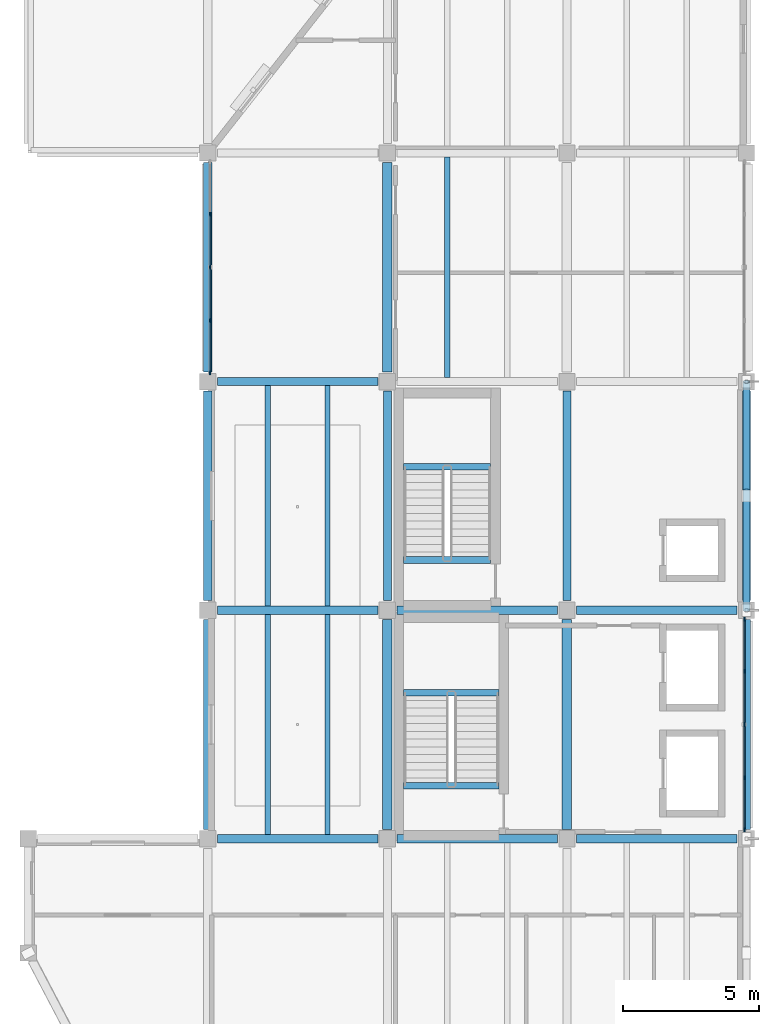
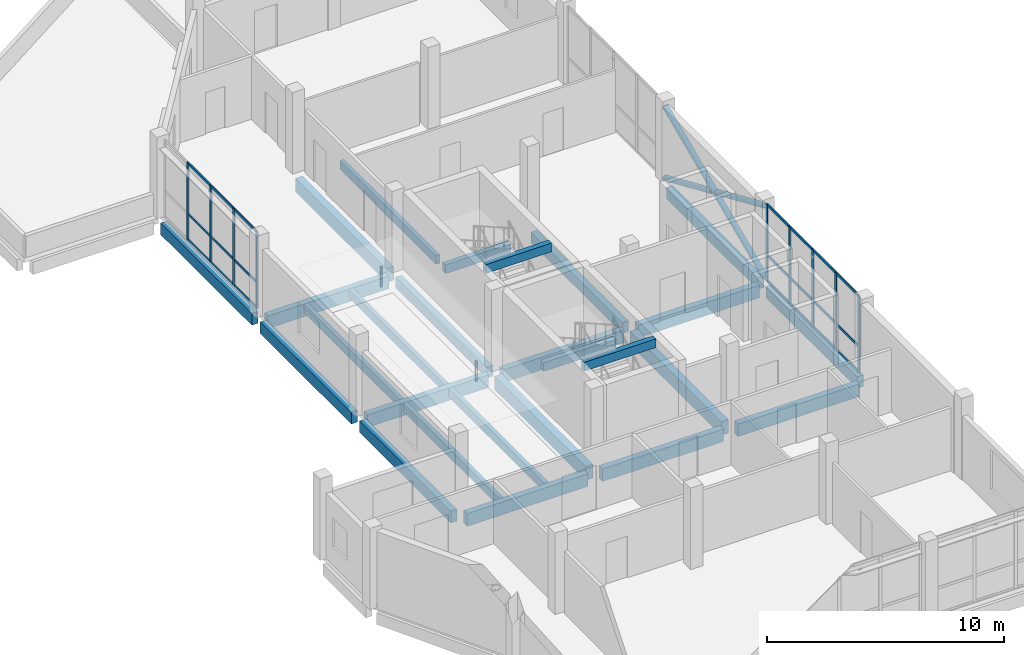
# One storey, part 3 of 12: 33 members, 26 beams, 2 elements without a shape of their own.
"""IFC4 building model written with IfcOpenShell, lengths in metres."""

from ifc_helpers import new_model, si_unit, direction, frame, origin, origin_2d, place, context, subcontext, project, spatial, rectangle, hollow_circle, extrude, material, material_profile, profile_set, type_object, element, aggregate, save


model = new_model("IFC4")

# Units and contexts
model_context = context("Model", 3, precision=1e-05, world=origin(), true_north=direction((0.0, 1.0)))
body_context = subcontext(model_context, "Body", "Model", "MODEL_VIEW")
ifc_project = project(units=[si_unit("LENGTHUNIT", "METRE"), si_unit("AREAUNIT", "SQUARE_METRE"), si_unit("VOLUMEUNIT", "CUBIC_METRE"), si_unit("PLANEANGLEUNIT", "RADIAN"), si_unit("MASSUNIT", "GRAM", prefix="KILO")], contexts=[model_context])

# Site, building, storey
site_placement = place(None, origin())
site = spatial("IfcSite", under=ifc_project, at=site_placement, CompositionType="ELEMENT")
building_placement = place(site_placement, origin())
building = spatial("IfcBuilding", under=site, at=building_placement, Name="Qaldarim Faculty of Natural and Applied Sciences", CompositionType="ELEMENT")
storey_placement = place(building_placement, frame((0.0, 0.0, 31.199951171875)))
storey = spatial("IfcBuildingStorey", under=building, at=storey_placement, Name="L07", CompositionType="ELEMENT", Elevation=31.199951171875)

# Beams
ifc_material_1 = material(Name="Concrete C40/50", Category="concrete")
ifc_material_profile_1 = material_profile(ifc_material_1, rectangle(XDim=0.300048828125, YDim=0.550048828125, at=origin_2d()), Name="RC-B300x550")
ifc_profile_set_1 = profile_set([ifc_material_profile_1], Name="Concrete C40/50")
beam_type_1 = type_object("IfcBeamType", Name="FloorBeam-RC300x550", PredefinedType="BEAM", material=ifc_profile_set_1)
for number, where, z_axis, x_axis, name in (
    (1, (165.0, 25.550048828125, -0.494873046875), (0.0, 1.0, 0.0), (-1.0, 0.0, 0.0), "Beam RC-B300x550 L06 X26/Y04-Y05"),
    (2, (171.60009765625, 25.550048828125, -0.494873046875), (0.0, 1.0, 0.0), (-1.0, 0.0, 0.0), "Beam RC-B300x550 L06 X27/Y04-Y05"),
):
    element("IfcBeam", number, at=place(storey_placement, frame(where, z_axis=z_axis, x_axis=x_axis)), inside=storey, type_object=beam_type_1, Name=name, PredefinedType="BEAM", context=body_context, shape_type="SweptSolid", body=[
        extrude(rectangle(XDim=0.300048828125, YDim=0.550048828125, at=origin_2d()), origin(), (0.0, 0.0, 1.0), 7.699951171875),
    ])
ifc_material_profile_2 = material_profile(ifc_material_1, rectangle(XDim=0.199951171875, YDim=0.449951171875, at=origin_2d()), Name="RC-J200x450")
ifc_profile_set_2 = profile_set([ifc_material_profile_2], Name="Concrete C40/50")
beam_type_2 = type_object("IfcBeamType", Name="LabJoist-RC200x450", PredefinedType="JOIST", material=ifc_profile_set_2)
for number, where, z_axis, x_axis, name in (
    (3, (160.60009765625, 16.949951171875, -0.445068359375), (0.0, 1.0, 0.0), (-1.0, 0.0, 0.0), "Laboratory joist L06 bay X25Y03-1"),
    (4, (162.800048828125, 16.949951171875, -0.445068359375), (0.0, 1.0, 0.0), (-1.0, 0.0, 0.0), "Laboratory joist L06 bay X25Y03-2"),
):
    element("IfcBeam", number, at=place(storey_placement, frame(where, z_axis=z_axis, x_axis=x_axis)), inside=storey, type_object=beam_type_2, Name=name, PredefinedType="JOIST", context=body_context, shape_type="SweptSolid", body=[
        extrude(rectangle(XDim=0.199951171875, YDim=0.449951171875, at=origin_2d()), origin(), (0.0, 0.0, 1.0), 8.10009765625),
    ])
for number, where, z_axis, x_axis, name in (
    (5, (160.60009765625, 25.35009765625, -0.445068359375), (0.0, 1.0, 0.0), (-1.0, 0.0, 0.0), "Laboratory joist L06 bay X25Y04-1"),
    (6, (162.800048828125, 25.35009765625, -0.445068359375), (0.0, 1.0, 0.0), (-1.0, 0.0, 0.0), "Laboratory joist L06 bay X25Y04-2"),
):
    element("IfcBeam", number, at=place(storey_placement, frame(where, z_axis=z_axis, x_axis=x_axis)), inside=storey, type_object=beam_type_2, Name=name, PredefinedType="JOIST", context=body_context, shape_type="SweptSolid", body=[
        extrude(rectangle(XDim=0.199951171875, YDim=0.449951171875, at=origin_2d()), origin(), (0.0, 0.0, 1.0), 8.099853515625),
    ])
beam_1_placement = place(storey_placement, frame((167.199951171875, 33.75, -0.445068359375), z_axis=(0.0, 1.0, 0.0), x_axis=(-1.0, 0.0, 0.0)))
element("IfcBeam", 7, at=beam_1_placement, inside=storey, type_object=beam_type_2, Name="Laboratory joist L06 bay X26Y05-1", PredefinedType="JOIST", context=body_context, shape_type="SweptSolid", body=[
    extrude(rectangle(XDim=0.199951171875, YDim=0.449951171875, at=origin_2d()), origin(), (0.0, 0.0, 1.0), 8.10009765625),
])
ifc_material_profile_3 = material_profile(ifc_material_1, rectangle(XDim=0.25, YDim=0.449951171875, at=origin_2d()), Name="RC-LN250x450")
ifc_profile_set_3 = profile_set([ifc_material_profile_3], Name="Concrete C40/50")
beam_type_3 = type_object("IfcBeamType", Name="LandingSupportBeam-RC250x450", PredefinedType="BEAM", material=ifc_profile_set_3)
for number, where, z_axis, x_axis, name in (
    (8, (165.60009765625, 22.169921875, 1.6650390625), (1.0, 0.0, 0.0), (0.0, 1.0, 0.0), "Stair landing support beam ST-A1 L07"),
    (9, (165.60009765625, 18.75, 3.755126953125), (1.0, 0.0, 0.0), (0.0, 1.0, 0.0), "Stair arrival support beam ST-A1 L07"),
):
    element("IfcBeam", number, at=place(storey_placement, frame(where, z_axis=z_axis, x_axis=x_axis)), inside=storey, type_object=beam_type_3, Name=name, PredefinedType="BEAM", context=body_context, shape_type="SweptSolid", body=[
        extrude(rectangle(XDim=0.25, YDim=0.449951171875, at=origin_2d()), origin(), (0.0, 0.0, 1.0), 3.5),
    ])
for number, where, z_axis, x_axis, name in (
    (10, (165.60009765625, 30.469970703125, 1.6650390625), (1.0, 0.0, 0.0), (0.0, 1.0, 0.0), "Stair landing support beam ST-A2 L07"),
    (11, (165.60009765625, 27.050048828125, 3.755126953125), (1.0, 0.0, 0.0), (0.0, 1.0, 0.0), "Stair arrival support beam ST-A2 L07"),
):
    element("IfcBeam", number, at=place(storey_placement, frame(where, z_axis=z_axis, x_axis=x_axis)), inside=storey, type_object=beam_type_3, Name=name, PredefinedType="BEAM", context=body_context, shape_type="SweptSolid", body=[
        extrude(rectangle(XDim=0.25, YDim=0.449951171875, at=origin_2d()), origin(), (0.0, 0.0, 1.0), 3.199951171875),
    ])

# Curtain wall, members
ifc_material_2 = material(Name="Anodised aluminium AW-6063", Category="aluminium")
curtain_wall_type = type_object("IfcCurtainWallType", Name="CurtainWallSystem-M1800", PredefinedType="USERDEFINED", material=ifc_material_2)
curtain_wall_1_placement = place(storey_placement, origin())
curtain_wall_1 = element("IfcCurtainWall", 12, at=curtain_wall_1_placement, inside=storey, type_object=curtain_wall_type, Name="Curtain wall CW-L07-W-X25Y05", ObjectType="UNITISED FACADE", PredefinedType="USERDEFINED")
ifc_material_profile_4 = material_profile(ifc_material_2, rectangle(XDim=0.06005859375, YDim=0.14990234375, at=origin_2d()), Name="ALU-M60x150")
ifc_profile_set_4 = profile_set([ifc_material_profile_4], Name="Anodised aluminium AW-6063")
member_type_1 = type_object("IfcMemberType", Name="Mullion-ALU60x150", PredefinedType="MULLION", material=ifc_profile_set_4)
member_1_placement = place(storey_placement, frame((158.47998046875, 39.75244140625, 0.0), z_axis=(0.0, 0.0, 1.0), x_axis=(1.0, 0.0, 0.0)))
member_1 = element("IfcMember", 13, at=member_1_placement, type_object=member_type_1, Name="Mullion 2 of CW-L07-W-X25Y05", PredefinedType="MULLION", context=body_context, shape_type="SweptSolid", body=[
    extrude(rectangle(XDim=0.06005859375, YDim=0.14990234375, at=origin_2d()), origin(), (0.0, 0.0, 1.0), 3.97998046875),
])
member_2_placement = place(storey_placement, frame((158.47998046875, 37.800048828125, 0.0), z_axis=(0.0, 0.0, 1.0), x_axis=(1.0, 0.0, 0.0)))
member_2 = element("IfcMember", 14, at=member_2_placement, type_object=member_type_1, Name="Mullion 3 of CW-L07-W-X25Y05", PredefinedType="MULLION", context=body_context, shape_type="SweptSolid", body=[
    extrude(rectangle(XDim=0.06005859375, YDim=0.14990234375, at=origin_2d()), origin(), (0.0, 0.0, 1.0), 3.97998046875),
])
member_3_placement = place(storey_placement, frame((158.47998046875, 35.847412109375, 0.0), z_axis=(0.0, 0.0, 1.0), x_axis=(1.0, 0.0, 0.0)))
member_3 = element("IfcMember", 15, at=member_3_placement, type_object=member_type_1, Name="Mullion 4 of CW-L07-W-X25Y05", PredefinedType="MULLION", context=body_context, shape_type="SweptSolid", body=[
    extrude(rectangle(XDim=0.06005859375, YDim=0.14990234375, at=origin_2d()), origin(), (0.0, 0.0, 1.0), 3.97998046875),
])
member_4_placement = place(storey_placement, frame((158.47998046875, 33.925048828125, 0.0), z_axis=(0.0, 0.0, 1.0), x_axis=(1.0, 0.0, 0.0)))
member_4 = element("IfcMember", 16, at=member_4_placement, type_object=member_type_1, Name="Mullion 5 of CW-L07-W-X25Y05", PredefinedType="MULLION", context=body_context, shape_type="SweptSolid", body=[
    extrude(rectangle(XDim=0.06005859375, YDim=0.14990234375, at=origin_2d()), origin(), (0.0, 0.0, 1.0), 3.97998046875),
])

curtain_wall_2_placement = place(storey_placement, origin())
curtain_wall_2 = element("IfcCurtainWall", 17, at=curtain_wall_2_placement, inside=storey, type_object=curtain_wall_type, Name="Curtain wall CW-L07-E-X27Y03", ObjectType="UNITISED FACADE", PredefinedType="USERDEFINED")
member_5_placement = place(storey_placement, frame((178.1201171875, 17.125, 0.0), z_axis=(0.0, 0.0, 1.0), x_axis=(-1.0, 0.0, 0.0)))
member_5 = element("IfcMember", 18, at=member_5_placement, type_object=member_type_1, Name="Mullion 1 of CW-L07-E-X27Y03", PredefinedType="MULLION", context=body_context, shape_type="SweptSolid", body=[
    extrude(rectangle(XDim=0.06005859375, YDim=0.14990234375, at=origin_2d()), origin(), (0.0, 0.0, 1.0), 3.97998046875),
])
member_6_placement = place(storey_placement, frame((178.1201171875, 19.047607421875, 0.0), z_axis=(0.0, 0.0, 1.0), x_axis=(-1.0, 0.0, 0.0)))
member_6 = element("IfcMember", 19, at=member_6_placement, type_object=member_type_1, Name="Mullion 2 of CW-L07-E-X27Y03", PredefinedType="MULLION", context=body_context, shape_type="SweptSolid", body=[
    extrude(rectangle(XDim=0.06005859375, YDim=0.14990234375, at=origin_2d()), origin(), (0.0, 0.0, 1.0), 3.97998046875),
])
member_7_placement = place(storey_placement, frame((178.1201171875, 21.0, 0.0), z_axis=(0.0, 0.0, 1.0), x_axis=(-1.0, 0.0, 0.0)))
member_7 = element("IfcMember", 20, at=member_7_placement, type_object=member_type_1, Name="Mullion 3 of CW-L07-E-X27Y03", PredefinedType="MULLION", context=body_context, shape_type="SweptSolid", body=[
    extrude(rectangle(XDim=0.06005859375, YDim=0.14990234375, at=origin_2d()), origin(), (0.0, 0.0, 1.0), 3.97998046875),
])
member_8_placement = place(storey_placement, frame((178.1201171875, 22.952392578125, 0.0), z_axis=(0.0, 0.0, 1.0), x_axis=(-1.0, 0.0, 0.0)))
member_8 = element("IfcMember", 21, at=member_8_placement, type_object=member_type_1, Name="Mullion 4 of CW-L07-E-X27Y03", PredefinedType="MULLION", context=body_context, shape_type="SweptSolid", body=[
    extrude(rectangle(XDim=0.06005859375, YDim=0.14990234375, at=origin_2d()), origin(), (0.0, 0.0, 1.0), 3.97998046875),
])
member_9_placement = place(storey_placement, frame((178.1201171875, 24.875, 0.0), z_axis=(0.0, 0.0, 1.0), x_axis=(-1.0, 0.0, 0.0)))
member_9 = element("IfcMember", 22, at=member_9_placement, type_object=member_type_1, Name="Mullion 5 of CW-L07-E-X27Y03", PredefinedType="MULLION", context=body_context, shape_type="SweptSolid", body=[
    extrude(rectangle(XDim=0.06005859375, YDim=0.14990234375, at=origin_2d()), origin(), (0.0, 0.0, 1.0), 3.97998046875),
])

# Members
ifc_material_3 = material(Name="Structural steel S355", Category="steel")
ifc_material_profile_5 = material_profile(ifc_material_3, hollow_circle(Radius=0.136474609375, WallThickness=0.01611328125, at=origin_2d()), Name="CHS 273.0x16.0")
ifc_profile_set_5 = profile_set([ifc_material_profile_5], Name="Structural steel S355")
member_type_2 = type_object("IfcMemberType", Name="PortalBrace-CHS273x16", PredefinedType="BRACE", material=ifc_profile_set_5)
member_10_placement = place(storey_placement, frame((178.199951171875, 25.199951171875, 0.0), z_axis=(0.0, 0.915962323067, 0.401264280396), x_axis=(-1.0, 0.0, 0.0)))
element("IfcMember", 23, at=member_10_placement, inside=storey, type_object=member_type_2, Name="Upper east diagrid L07 primary brace L", PredefinedType="BRACE", context=body_context, shape_type="SweptSolid", body=[
    extrude(hollow_circle(Radius=0.136474609375, WallThickness=0.01611328125, at=origin_2d()), origin(), (0.0, 0.0, 1.0), 9.1708984375),
])
for number, where, z_axis, x_axis, name in (
    (24, (178.199951171875, 33.60009765625, 0.0), (0.0, -0.916157334902, 0.40081883402), (1.0, 0.0, 0.0), "Upper east diagrid L07 split secondary lower brace R1"),
    (25, (178.199951171875, 29.199951171875, 1.929931640625), (0.0, -0.916157334902, 0.40081883402), (1.0, 0.0, 0.0), "Upper east diagrid L07 split secondary upper brace R2"),
):
    element("IfcMember", number, at=place(storey_placement, frame(where, z_axis=z_axis, x_axis=x_axis)), inside=storey, type_object=member_type_2, Name=name, PredefinedType="BRACE", context=body_context, shape_type="SweptSolid", body=[
        extrude(hollow_circle(Radius=0.136474609375, WallThickness=0.01611328125, at=origin_2d()), origin(), (0.0, 0.0, 1.0), 4.365966796875),
    ])

# Beams
ifc_material_profile_6 = material_profile(ifc_material_1, rectangle(XDim=0.300048828125, YDim=0.64990234375, at=origin_2d()), Name="RC-B300x650")
ifc_profile_set_6 = profile_set([ifc_material_profile_6], Name="Concrete C40/50")
beam_type_4 = type_object("IfcBeamType", Name="PrimaryBeam-RC300x650", PredefinedType="BEAM", material=ifc_profile_set_6)
for number, where, z_axis, x_axis, name in (
    (26, (158.75, 16.800048828125, -0.544921875), (1.0, 0.0, 0.0), (0.0, 1.0, 0.0), "Beam RC-B300x650 L06 X25-X26/Y03"),
    (27, (165.35009765625, 16.800048828125, -0.544921875), (1.0, 0.0, 0.0), (0.0, 1.0, 0.0), "Beam RC-B300x650 L06 X26-X27/Y03"),
):
    element("IfcBeam", number, at=place(storey_placement, frame(where, z_axis=z_axis, x_axis=x_axis)), inside=storey, type_object=beam_type_4, Name=name, PredefinedType="BEAM", context=body_context, shape_type="SweptSolid", body=[
        extrude(rectangle(XDim=0.300048828125, YDim=0.64990234375, at=origin_2d()), origin(), (0.0, 0.0, 1.0), 5.89990234375),
    ])
beam_2_placement = place(storey_placement, frame((171.949951171875, 16.800048828125, -0.544921875), z_axis=(1.0, 0.0, 0.0), x_axis=(0.0, 1.0, 0.0)))
element("IfcBeam", 28, at=beam_2_placement, inside=storey, type_object=beam_type_4, Name="Beam RC-B300x650 L06 X27-X28/Y03", PredefinedType="BEAM", context=body_context, shape_type="SweptSolid", body=[
    extrude(rectangle(XDim=0.300048828125, YDim=0.64990234375, at=origin_2d()), origin(), (0.0, 0.0, 1.0), 5.900146484375),
])
for number, where, z_axis, x_axis, name in (
    (29, (158.75, 25.199951171875, -0.544921875), (1.0, 0.0, 0.0), (0.0, 1.0, 0.0), "Beam RC-B300x650 L06 X25-X26/Y04"),
    (30, (165.35009765625, 25.199951171875, -0.544921875), (1.0, 0.0, 0.0), (0.0, 1.0, 0.0), "Beam RC-B300x650 L06 X26-X27/Y04"),
):
    element("IfcBeam", number, at=place(storey_placement, frame(where, z_axis=z_axis, x_axis=x_axis)), inside=storey, type_object=beam_type_4, Name=name, PredefinedType="BEAM", context=body_context, shape_type="SweptSolid", body=[
        extrude(rectangle(XDim=0.300048828125, YDim=0.64990234375, at=origin_2d()), origin(), (0.0, 0.0, 1.0), 5.89990234375),
    ])
beam_3_placement = place(storey_placement, frame((171.949951171875, 25.199951171875, -0.544921875), z_axis=(1.0, 0.0, 0.0), x_axis=(0.0, 1.0, 0.0)))
element("IfcBeam", 31, at=beam_3_placement, inside=storey, type_object=beam_type_4, Name="Beam RC-B300x650 L06 X27-X28/Y04", PredefinedType="BEAM", context=body_context, shape_type="SweptSolid", body=[
    extrude(rectangle(XDim=0.300048828125, YDim=0.64990234375, at=origin_2d()), origin(), (0.0, 0.0, 1.0), 5.900146484375),
])
beam_4_placement = place(storey_placement, frame((158.75, 33.60009765625, -0.544921875), z_axis=(1.0, 0.0, 0.0), x_axis=(0.0, 1.0, 0.0)))
element("IfcBeam", 32, at=beam_4_placement, inside=storey, type_object=beam_type_4, Name="Beam RC-B300x650 L06 X25-X26/Y05", PredefinedType="BEAM", context=body_context, shape_type="SweptSolid", body=[
    extrude(rectangle(XDim=0.300048828125, YDim=0.64990234375, at=origin_2d()), origin(), (0.0, 0.0, 1.0), 5.89990234375),
])
ifc_material_profile_7 = material_profile(ifc_material_1, rectangle(XDim=0.35009765625, YDim=0.699951171875, at=origin_2d()), Name="RC-B350x700")
ifc_profile_set_7 = profile_set([ifc_material_profile_7], Name="Concrete C40/50")
beam_type_5 = type_object("IfcBeamType", Name="PrimaryGirder-RC350x700", PredefinedType="BEAM", material=ifc_profile_set_7)
beam_5_placement = place(storey_placement, frame((165.0, 17.14990234375, -0.570068359375), z_axis=(0.0, 1.0, 0.0), x_axis=(-1.0, 0.0, 0.0)))
element("IfcBeam", 33, at=beam_5_placement, inside=storey, type_object=beam_type_5, Name="Beam RC-B350x700 L06 X26/Y03-Y04", PredefinedType="BEAM", context=body_context, shape_type="SweptSolid", body=[
    extrude(rectangle(XDim=0.35009765625, YDim=0.699951171875, at=origin_2d()), origin(), (0.0, 0.0, 1.0), 7.7001953125),
])
beam_6_placement = place(storey_placement, frame((165.0, 33.949951171875, -0.570068359375), z_axis=(0.0, 1.0, 0.0), x_axis=(-1.0, 0.0, 0.0)))
element("IfcBeam", 34, at=beam_6_placement, inside=storey, type_object=beam_type_5, Name="Beam RC-B350x700 L06 X26/Y05-Y06", PredefinedType="BEAM", context=body_context, shape_type="SweptSolid", body=[
    extrude(rectangle(XDim=0.35009765625, YDim=0.699951171875, at=origin_2d()), origin(), (0.0, 0.0, 1.0), 7.699951171875),
])
beam_7_placement = place(storey_placement, frame((171.60009765625, 17.14990234375, -0.570068359375), z_axis=(0.0, 1.0, 0.0), x_axis=(-1.0, 0.0, 0.0)))
element("IfcBeam", 35, at=beam_7_placement, inside=storey, type_object=beam_type_5, Name="Beam RC-B350x700 L06 X27/Y03-Y04", PredefinedType="BEAM", context=body_context, shape_type="SweptSolid", body=[
    extrude(rectangle(XDim=0.35009765625, YDim=0.699951171875, at=origin_2d()), origin(), (0.0, 0.0, 1.0), 7.7001953125),
])
ifc_material_4 = material(Name="Precast concrete C40/50", Category="concrete")
ifc_material_profile_8 = material_profile(ifc_material_4, rectangle(XDim=0.300048828125, YDim=0.60009765625, at=origin_2d()), Name="RC-SP300x600")
ifc_profile_set_8 = profile_set([ifc_material_profile_8], Name="Precast concrete C40/50")
beam_type_6 = type_object("IfcBeamType", Name="SpandrelBeam-RC300x600", PredefinedType="SPANDREL", material=ifc_profile_set_8)
beam_8_placement = place(storey_placement, frame((158.39990234375, 17.14990234375, -0.52001953125), z_axis=(0.0, 1.0, 0.0), x_axis=(-1.0, 0.0, 0.0)))
element("IfcBeam", 36, at=beam_8_placement, inside=storey, type_object=beam_type_6, Name="Beam RC-SP300x600 L06 X25/Y03-Y04", PredefinedType="SPANDREL", context=body_context, shape_type="SweptSolid", body=[
    extrude(rectangle(XDim=0.300048828125, YDim=0.60009765625, at=origin_2d()), origin(), (0.0, 0.0, 1.0), 7.7001953125),
])
for number, where, z_axis, x_axis, name in (
    (37, (158.39990234375, 25.550048828125, -0.52001953125), (0.0, 1.0, 0.0), (-1.0, 0.0, 0.0), "Beam RC-SP300x600 L06 X25/Y04-Y05"),
    (38, (158.39990234375, 33.949951171875, -0.52001953125), (0.0, 1.0, 0.0), (-1.0, 0.0, 0.0), "Beam RC-SP300x600 L06 X25/Y05-Y06"),
):
    element("IfcBeam", number, at=place(storey_placement, frame(where, z_axis=z_axis, x_axis=x_axis)), inside=storey, type_object=beam_type_6, Name=name, PredefinedType="SPANDREL", context=body_context, shape_type="SweptSolid", body=[
        extrude(rectangle(XDim=0.300048828125, YDim=0.60009765625, at=origin_2d()), origin(), (0.0, 0.0, 1.0), 7.699951171875),
    ])
beam_9_placement = place(storey_placement, frame((178.199951171875, 17.14990234375, -0.52001953125), z_axis=(0.0, 1.0, 0.0), x_axis=(-1.0, 0.0, 0.0)))
element("IfcBeam", 39, at=beam_9_placement, inside=storey, type_object=beam_type_6, Name="Beam RC-SP300x600 L06 X28/Y03-Y04", PredefinedType="SPANDREL", context=body_context, shape_type="SweptSolid", body=[
    extrude(rectangle(XDim=0.300048828125, YDim=0.60009765625, at=origin_2d()), origin(), (0.0, 0.0, 1.0), 7.7001953125),
])
beam_10_placement = place(storey_placement, frame((178.199951171875, 25.550048828125, -0.52001953125), z_axis=(0.0, 1.0, 0.0), x_axis=(-1.0, 0.0, 0.0)))
element("IfcBeam", 40, at=beam_10_placement, inside=storey, type_object=beam_type_6, Name="Beam RC-SP300x600 L06 X28/Y04-Y05", PredefinedType="SPANDREL", context=body_context, shape_type="SweptSolid", body=[
    extrude(rectangle(XDim=0.300048828125, YDim=0.60009765625, at=origin_2d()), origin(), (0.0, 0.0, 1.0), 7.699951171875),
])

# Member
ifc_material_profile_9 = material_profile(ifc_material_2, rectangle(XDim=0.06005859375, YDim=0.1201171875, at=origin_2d()), Name="ALU-T60x120")
ifc_profile_set_9 = profile_set([ifc_material_profile_9], Name="Anodised aluminium AW-6063")
member_type_3 = type_object("IfcMemberType", Name="Transom-ALU60x120", PredefinedType="USERDEFINED", material=ifc_profile_set_9)
member_11_placement = place(storey_placement, frame((158.47998046875, 39.722412109375, 0.030029296875), z_axis=(0.0, -1.0, 0.0), x_axis=(1.0, 0.0, 0.0)))
member_11 = element("IfcMember", 41, at=member_11_placement, type_object=member_type_3, Name="Transom 2-1 of CW-L07-W-X25Y05", ObjectType="TRANSOM", PredefinedType="USERDEFINED", context=body_context, shape_type="SweptSolid", body=[
    extrude(rectangle(XDim=0.06005859375, YDim=0.1201171875, at=origin_2d()), origin(), (0.0, 0.0, 1.0), 1.892333984375),
])

member_12_placement = place(storey_placement, frame((158.47998046875, 39.722412109375, 1.35009765625), z_axis=(0.0, -1.0, 0.0), x_axis=(1.0, 0.0, 0.0)))
member_12 = element("IfcMember", 42, at=member_12_placement, type_object=member_type_3, Name="Transom 2-2 of CW-L07-W-X25Y05", ObjectType="TRANSOM", PredefinedType="USERDEFINED", context=body_context, shape_type="SweptSolid", body=[
    extrude(rectangle(XDim=0.06005859375, YDim=0.1201171875, at=origin_2d()), origin(), (0.0, 0.0, 1.0), 1.892333984375),
])

member_13_placement = place(storey_placement, frame((158.47998046875, 39.722412109375, 3.949951171875), z_axis=(0.0, -1.0, 0.0), x_axis=(1.0, 0.0, 0.0)))
member_13 = element("IfcMember", 43, at=member_13_placement, type_object=member_type_3, Name="Transom 2-3 of CW-L07-W-X25Y05", ObjectType="TRANSOM", PredefinedType="USERDEFINED", context=body_context, shape_type="SweptSolid", body=[
    extrude(rectangle(XDim=0.06005859375, YDim=0.1201171875, at=origin_2d()), origin(), (0.0, 0.0, 1.0), 1.892333984375),
])

member_14_placement = place(storey_placement, frame((158.47998046875, 37.77001953125, 0.030029296875), z_axis=(0.0, -1.0, 0.0), x_axis=(1.0, 0.0, 0.0)))
member_14 = element("IfcMember", 44, at=member_14_placement, type_object=member_type_3, Name="Transom 3-1 of CW-L07-W-X25Y05", ObjectType="TRANSOM", PredefinedType="USERDEFINED", context=body_context, shape_type="SweptSolid", body=[
    extrude(rectangle(XDim=0.06005859375, YDim=0.1201171875, at=origin_2d()), origin(), (0.0, 0.0, 1.0), 1.892578125),
])

member_15_placement = place(storey_placement, frame((158.47998046875, 37.77001953125, 1.35009765625), z_axis=(0.0, -1.0, 0.0), x_axis=(1.0, 0.0, 0.0)))
member_15 = element("IfcMember", 45, at=member_15_placement, type_object=member_type_3, Name="Transom 3-2 of CW-L07-W-X25Y05", ObjectType="TRANSOM", PredefinedType="USERDEFINED", context=body_context, shape_type="SweptSolid", body=[
    extrude(rectangle(XDim=0.06005859375, YDim=0.1201171875, at=origin_2d()), origin(), (0.0, 0.0, 1.0), 1.892578125),
])

member_16_placement = place(storey_placement, frame((158.47998046875, 37.77001953125, 3.949951171875), z_axis=(0.0, -1.0, 0.0), x_axis=(1.0, 0.0, 0.0)))
member_16 = element("IfcMember", 46, at=member_16_placement, type_object=member_type_3, Name="Transom 3-3 of CW-L07-W-X25Y05", ObjectType="TRANSOM", PredefinedType="USERDEFINED", context=body_context, shape_type="SweptSolid", body=[
    extrude(rectangle(XDim=0.06005859375, YDim=0.1201171875, at=origin_2d()), origin(), (0.0, 0.0, 1.0), 1.892578125),
])

member_17_placement = place(storey_placement, frame((158.47998046875, 35.8173828125, 0.030029296875), z_axis=(0.0, -1.0, 0.0), x_axis=(1.0, 0.0, 0.0)))
member_17 = element("IfcMember", 47, at=member_17_placement, type_object=member_type_3, Name="Transom 4-1 of CW-L07-W-X25Y05", ObjectType="TRANSOM", PredefinedType="USERDEFINED", context=body_context, shape_type="SweptSolid", body=[
    extrude(rectangle(XDim=0.06005859375, YDim=0.1201171875, at=origin_2d()), origin(), (0.0, 0.0, 1.0), 1.8623046875),
])

member_18_placement = place(storey_placement, frame((158.47998046875, 35.8173828125, 1.35009765625), z_axis=(0.0, -1.0, 0.0), x_axis=(1.0, 0.0, 0.0)))
member_18 = element("IfcMember", 48, at=member_18_placement, type_object=member_type_3, Name="Transom 4-2 of CW-L07-W-X25Y05", ObjectType="TRANSOM", PredefinedType="USERDEFINED", context=body_context, shape_type="SweptSolid", body=[
    extrude(rectangle(XDim=0.06005859375, YDim=0.1201171875, at=origin_2d()), origin(), (0.0, 0.0, 1.0), 1.8623046875),
])

member_19_placement = place(storey_placement, frame((158.47998046875, 35.8173828125, 3.949951171875), z_axis=(0.0, -1.0, 0.0), x_axis=(1.0, 0.0, 0.0)))
member_19 = element("IfcMember", 49, at=member_19_placement, type_object=member_type_3, Name="Transom 4-3 of CW-L07-W-X25Y05", ObjectType="TRANSOM", PredefinedType="USERDEFINED", context=body_context, shape_type="SweptSolid", body=[
    extrude(rectangle(XDim=0.06005859375, YDim=0.1201171875, at=origin_2d()), origin(), (0.0, 0.0, 1.0), 1.8623046875),
])

aggregate(curtain_wall_1, [member_1, member_2, member_3, member_4, member_11, member_12, member_13, member_14, member_15, member_16, member_17, member_18, member_19])

member_20_placement = place(storey_placement, frame((178.1201171875, 17.155029296875, 0.030029296875), z_axis=(0.0, 1.0, 0.0), x_axis=(-1.0, 0.0, 0.0)))
member_20 = element("IfcMember", 50, at=member_20_placement, type_object=member_type_3, Name="Transom 1-1 of CW-L07-E-X27Y03", ObjectType="TRANSOM", PredefinedType="USERDEFINED", context=body_context, shape_type="SweptSolid", body=[
    extrude(rectangle(XDim=0.06005859375, YDim=0.1201171875, at=origin_2d()), origin(), (0.0, 0.0, 1.0), 1.862548828125),
])

member_21_placement = place(storey_placement, frame((178.1201171875, 17.155029296875, 1.35009765625), z_axis=(0.0, 1.0, 0.0), x_axis=(-1.0, 0.0, 0.0)))
member_21 = element("IfcMember", 51, at=member_21_placement, type_object=member_type_3, Name="Transom 1-2 of CW-L07-E-X27Y03", ObjectType="TRANSOM", PredefinedType="USERDEFINED", context=body_context, shape_type="SweptSolid", body=[
    extrude(rectangle(XDim=0.06005859375, YDim=0.1201171875, at=origin_2d()), origin(), (0.0, 0.0, 1.0), 1.862548828125),
])

member_22_placement = place(storey_placement, frame((178.1201171875, 17.155029296875, 3.949951171875), z_axis=(0.0, 1.0, 0.0), x_axis=(-1.0, 0.0, 0.0)))
member_22 = element("IfcMember", 52, at=member_22_placement, type_object=member_type_3, Name="Transom 1-3 of CW-L07-E-X27Y03", ObjectType="TRANSOM", PredefinedType="USERDEFINED", context=body_context, shape_type="SweptSolid", body=[
    extrude(rectangle(XDim=0.06005859375, YDim=0.1201171875, at=origin_2d()), origin(), (0.0, 0.0, 1.0), 1.862548828125),
])

member_23_placement = place(storey_placement, frame((178.1201171875, 19.077392578125, 0.030029296875), z_axis=(0.0, 1.0, 0.0), x_axis=(-1.0, 0.0, 0.0)))
member_23 = element("IfcMember", 53, at=member_23_placement, type_object=member_type_3, Name="Transom 2-1 of CW-L07-E-X27Y03", ObjectType="TRANSOM", PredefinedType="USERDEFINED", context=body_context, shape_type="SweptSolid", body=[
    extrude(rectangle(XDim=0.06005859375, YDim=0.1201171875, at=origin_2d()), origin(), (0.0, 0.0, 1.0), 1.892578125),
])

member_24_placement = place(storey_placement, frame((178.1201171875, 19.077392578125, 1.35009765625), z_axis=(0.0, 1.0, 0.0), x_axis=(-1.0, 0.0, 0.0)))
member_24 = element("IfcMember", 54, at=member_24_placement, type_object=member_type_3, Name="Transom 2-2 of CW-L07-E-X27Y03", ObjectType="TRANSOM", PredefinedType="USERDEFINED", context=body_context, shape_type="SweptSolid", body=[
    extrude(rectangle(XDim=0.06005859375, YDim=0.1201171875, at=origin_2d()), origin(), (0.0, 0.0, 1.0), 1.892578125),
])

member_25_placement = place(storey_placement, frame((178.1201171875, 19.077392578125, 3.949951171875), z_axis=(0.0, 1.0, 0.0), x_axis=(-1.0, 0.0, 0.0)))
member_25 = element("IfcMember", 55, at=member_25_placement, type_object=member_type_3, Name="Transom 2-3 of CW-L07-E-X27Y03", ObjectType="TRANSOM", PredefinedType="USERDEFINED", context=body_context, shape_type="SweptSolid", body=[
    extrude(rectangle(XDim=0.06005859375, YDim=0.1201171875, at=origin_2d()), origin(), (0.0, 0.0, 1.0), 1.892578125),
])

member_26_placement = place(storey_placement, frame((178.1201171875, 21.030029296875, 0.030029296875), z_axis=(0.0, 1.0, 0.0), x_axis=(-1.0, 0.0, 0.0)))
member_26 = element("IfcMember", 56, at=member_26_placement, type_object=member_type_3, Name="Transom 3-1 of CW-L07-E-X27Y03", ObjectType="TRANSOM", PredefinedType="USERDEFINED", context=body_context, shape_type="SweptSolid", body=[
    extrude(rectangle(XDim=0.06005859375, YDim=0.1201171875, at=origin_2d()), origin(), (0.0, 0.0, 1.0), 1.892578125),
])

member_27_placement = place(storey_placement, frame((178.1201171875, 21.030029296875, 1.35009765625), z_axis=(0.0, 1.0, 0.0), x_axis=(-1.0, 0.0, 0.0)))
member_27 = element("IfcMember", 57, at=member_27_placement, type_object=member_type_3, Name="Transom 3-2 of CW-L07-E-X27Y03", ObjectType="TRANSOM", PredefinedType="USERDEFINED", context=body_context, shape_type="SweptSolid", body=[
    extrude(rectangle(XDim=0.06005859375, YDim=0.1201171875, at=origin_2d()), origin(), (0.0, 0.0, 1.0), 1.892578125),
])

member_28_placement = place(storey_placement, frame((178.1201171875, 21.030029296875, 3.949951171875), z_axis=(0.0, 1.0, 0.0), x_axis=(-1.0, 0.0, 0.0)))
member_28 = element("IfcMember", 58, at=member_28_placement, type_object=member_type_3, Name="Transom 3-3 of CW-L07-E-X27Y03", ObjectType="TRANSOM", PredefinedType="USERDEFINED", context=body_context, shape_type="SweptSolid", body=[
    extrude(rectangle(XDim=0.06005859375, YDim=0.1201171875, at=origin_2d()), origin(), (0.0, 0.0, 1.0), 1.892578125),
])

member_29_placement = place(storey_placement, frame((178.1201171875, 22.982421875, 0.030029296875), z_axis=(0.0, 1.0, 0.0), x_axis=(-1.0, 0.0, 0.0)))
member_29 = element("IfcMember", 59, at=member_29_placement, type_object=member_type_3, Name="Transom 4-1 of CW-L07-E-X27Y03", ObjectType="TRANSOM", PredefinedType="USERDEFINED", context=body_context, shape_type="SweptSolid", body=[
    extrude(rectangle(XDim=0.06005859375, YDim=0.1201171875, at=origin_2d()), origin(), (0.0, 0.0, 1.0), 1.862548828125),
])

member_30_placement = place(storey_placement, frame((178.1201171875, 22.982421875, 1.35009765625), z_axis=(0.0, 1.0, 0.0), x_axis=(-1.0, 0.0, 0.0)))
member_30 = element("IfcMember", 60, at=member_30_placement, type_object=member_type_3, Name="Transom 4-2 of CW-L07-E-X27Y03", ObjectType="TRANSOM", PredefinedType="USERDEFINED", context=body_context, shape_type="SweptSolid", body=[
    extrude(rectangle(XDim=0.06005859375, YDim=0.1201171875, at=origin_2d()), origin(), (0.0, 0.0, 1.0), 1.862548828125),
])

member_31_placement = place(storey_placement, frame((178.1201171875, 22.982421875, 3.949951171875), z_axis=(0.0, 1.0, 0.0), x_axis=(-1.0, 0.0, 0.0)))
member_31 = element("IfcMember", 61, at=member_31_placement, type_object=member_type_3, Name="Transom 4-3 of CW-L07-E-X27Y03", ObjectType="TRANSOM", PredefinedType="USERDEFINED", context=body_context, shape_type="SweptSolid", body=[
    extrude(rectangle(XDim=0.06005859375, YDim=0.1201171875, at=origin_2d()), origin(), (0.0, 0.0, 1.0), 1.862548828125),
])

aggregate(curtain_wall_2, [member_5, member_6, member_7, member_8, member_9, member_20, member_21, member_22, member_23, member_24, member_25, member_26, member_27, member_28, member_29, member_30, member_31])

save(model, "model.ifc")
